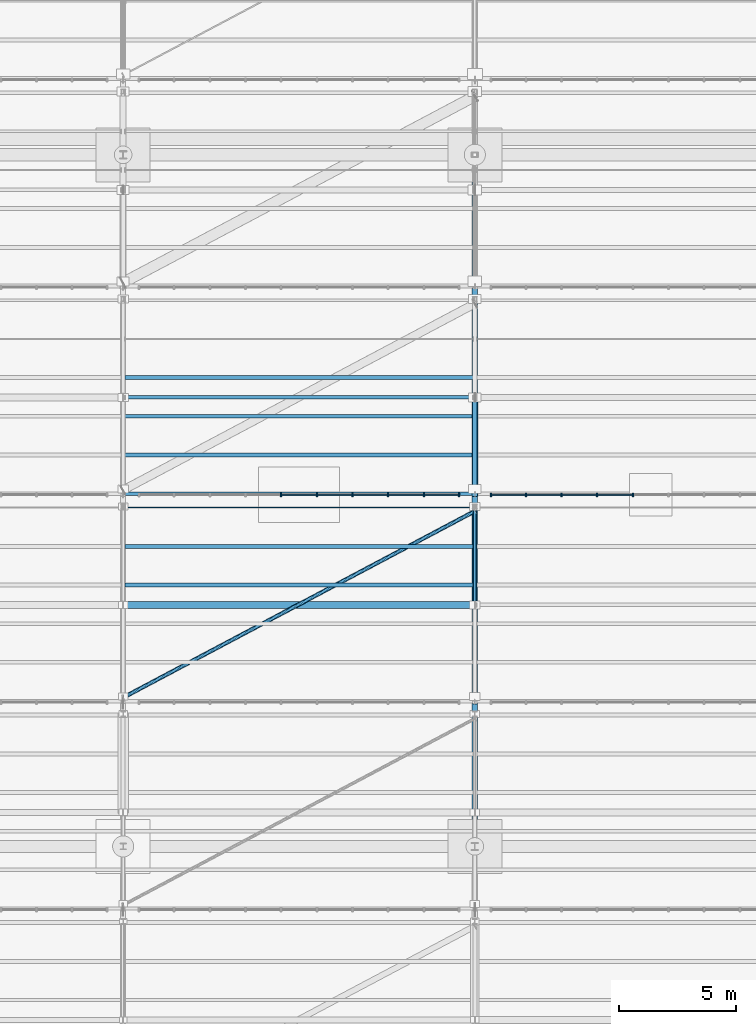
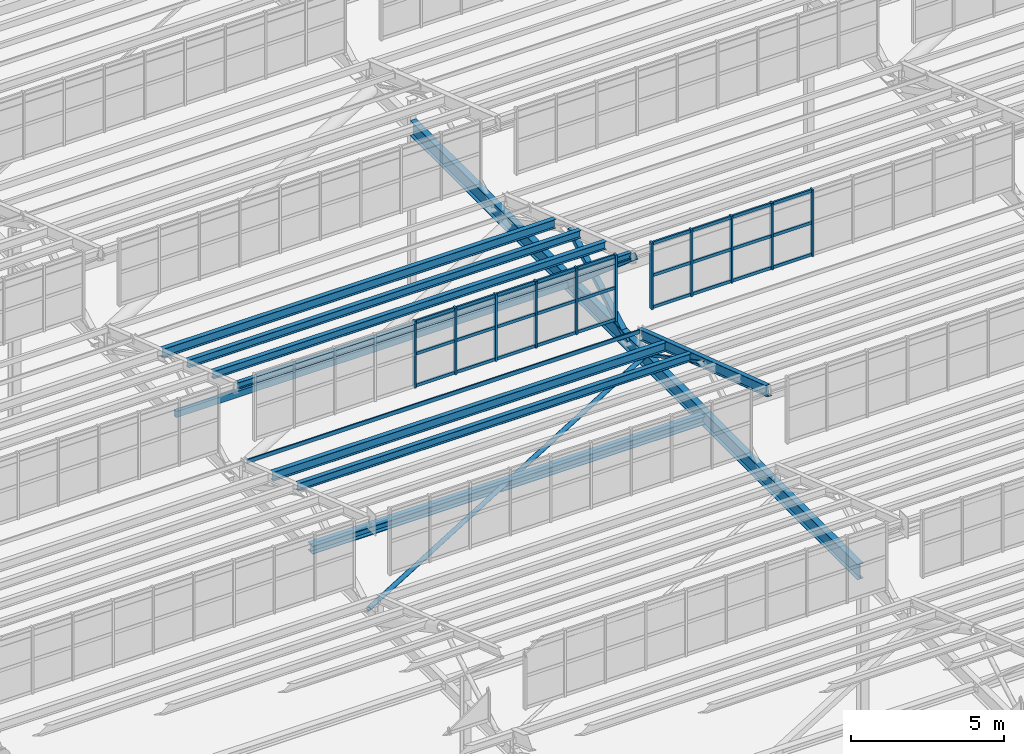
# One storey, part 100 of 285: 44 members, 9 beams, 2 elements without a shape of their own.
"""IFC4 building model written with IfcOpenShell, lengths in metres."""

from ifc_helpers import new_model, si_unit, direction, frame, origin, origin_2d, place, context, subcontext, project, spatial, rectangle, hollow_rectangle, hollow_circle, i_section, extrude, material, material_profile, profile_set, type_object, element, aggregate, save


model = new_model("IFC4")

# Units and contexts
model_context = context("Model", 3, precision=1e-05, world=origin(), true_north=direction((0.0, 1.0)))
body_context = subcontext(model_context, "Body", "Model", "MODEL_VIEW")
ifc_project = project(units=[si_unit("LENGTHUNIT", "METRE"), si_unit("AREAUNIT", "SQUARE_METRE"), si_unit("VOLUMEUNIT", "CUBIC_METRE"), si_unit("PLANEANGLEUNIT", "RADIAN"), si_unit("MASSUNIT", "GRAM", prefix="KILO")], contexts=[model_context])

# Site, building, storey
site_placement = place(None, origin())
site = spatial("IfcSite", under=ifc_project, at=site_placement, CompositionType="ELEMENT")
building_placement = place(site_placement, origin())
building = spatial("IfcBuilding", under=site, at=building_placement, Name="Solanera Park Tramway Depot", CompositionType="ELEMENT")
storey_placement = place(building_placement, origin())
storey = spatial("IfcBuildingStorey", under=building, at=storey_placement, Name="L00", CompositionType="ELEMENT", Elevation=0.0)

# Curtain wall, members
ifc_material_1 = material(Name="Bronze-anodised thermally broken aluminium curtain wall", Category="aluminium")
curtain_wall_type = type_object("IfcCurtainWallType", Name="Sawtooth Clerestory Monitor Curtain Wall", PredefinedType="NOTDEFINED", material=ifc_material_1)
curtain_wall_1_placement = place(storey_placement, origin())
curtain_wall_1 = element("IfcCurtainWall", 1, at=curtain_wall_1_placement, inside=storey, type_object=curtain_wall_type, Name="L00 Sawtooth Clerestory Monitor Curtain Wall #041", PredefinedType="NOTDEFINED")
ifc_material_2 = material(Name="Bronze-anodised structural aluminium 6063-T6", Category="aluminium")
ifc_material_profile_1 = material_profile(ifc_material_2, rectangle(XDim=0.06494140625, YDim=0.14990234375, at=origin_2d()), Name="Curtain Wall Mullion 65x150")
ifc_profile_set_1 = profile_set([ifc_material_profile_1], Name="Bronze-anodised structural aluminium 6063-T6")
member_type_1 = type_object("IfcMemberType", Name="Curtain Wall Mullion 65x150", PredefinedType="MULLION", material=ifc_profile_set_1)
member_1_placement = place(storey_placement, frame((96.739013671875, 100.0, 7.75), z_axis=(0.0, 0.0, 1.0), x_axis=(1.0, 0.0, 0.0)))
member_1 = element("IfcMember", 2, at=member_1_placement, type_object=member_type_1, Name="CW-L00-041 Mullion 5", PredefinedType="MULLION", context=body_context, shape_type="SweptSolid", body=[
    extrude(rectangle(XDim=0.06494140625, YDim=0.14990234375, at=origin_2d()), origin(), (0.0, 0.0, 1.0), 2.6611328125),
])
member_2_placement = place(storey_placement, frame((98.260986328125, 100.0, 7.75), z_axis=(0.0, 0.0, 1.0), x_axis=(1.0, 0.0, 0.0)))
member_2 = element("IfcMember", 3, at=member_2_placement, type_object=member_type_1, Name="CW-L00-041 Mullion 6", PredefinedType="MULLION", context=body_context, shape_type="SweptSolid", body=[
    extrude(rectangle(XDim=0.06494140625, YDim=0.14990234375, at=origin_2d()), origin(), (0.0, 0.0, 1.0), 2.6611328125),
])
member_3_placement = place(storey_placement, frame((99.783203125, 100.0, 7.75), z_axis=(0.0, 0.0, 1.0), x_axis=(1.0, 0.0, 0.0)))
member_3 = element("IfcMember", 4, at=member_3_placement, type_object=member_type_1, Name="CW-L00-041 Mullion 7", PredefinedType="MULLION", context=body_context, shape_type="SweptSolid", body=[
    extrude(rectangle(XDim=0.06494140625, YDim=0.14990234375, at=origin_2d()), origin(), (0.0, 0.0, 1.0), 2.6611328125),
])
member_4_placement = place(storey_placement, frame((101.3056640625, 100.0, 7.75), z_axis=(0.0, 0.0, 1.0), x_axis=(1.0, 0.0, 0.0)))
member_4 = element("IfcMember", 5, at=member_4_placement, type_object=member_type_1, Name="CW-L00-041 Mullion 8", PredefinedType="MULLION", context=body_context, shape_type="SweptSolid", body=[
    extrude(rectangle(XDim=0.06494140625, YDim=0.14990234375, at=origin_2d()), origin(), (0.0, 0.0, 1.0), 2.6611328125),
])
member_5_placement = place(storey_placement, frame((102.827880859375, 100.0, 7.75), z_axis=(0.0, 0.0, 1.0), x_axis=(1.0, 0.0, 0.0)))
member_5 = element("IfcMember", 6, at=member_5_placement, type_object=member_type_1, Name="CW-L00-041 Mullion 9", PredefinedType="MULLION", context=body_context, shape_type="SweptSolid", body=[
    extrude(rectangle(XDim=0.06494140625, YDim=0.14990234375, at=origin_2d()), origin(), (0.0, 0.0, 1.0), 2.6611328125),
])
member_6_placement = place(storey_placement, frame((104.3173828125, 100.0, 7.75), z_axis=(0.0, 0.0, 1.0), x_axis=(1.0, 0.0, 0.0)))
member_6 = element("IfcMember", 7, at=member_6_placement, type_object=member_type_1, Name="CW-L00-041 Mullion 10", PredefinedType="MULLION", context=body_context, shape_type="SweptSolid", body=[
    extrude(rectangle(XDim=0.06494140625, YDim=0.14990234375, at=origin_2d()), origin(), (0.0, 0.0, 1.0), 2.6611328125),
])

curtain_wall_2_placement = place(storey_placement, origin())
curtain_wall_2 = element("IfcCurtainWall", 8, at=curtain_wall_2_placement, inside=storey, type_object=curtain_wall_type, Name="L00 Sawtooth Clerestory Monitor Curtain Wall #042", PredefinedType="NOTDEFINED")
member_7_placement = place(storey_placement, frame((105.6826171875, 100.0, 7.75), z_axis=(0.0, 0.0, 1.0), x_axis=(1.0, 0.0, 0.0)))
member_7 = element("IfcMember", 9, at=member_7_placement, type_object=member_type_1, Name="CW-L00-042 Mullion 1", PredefinedType="MULLION", context=body_context, shape_type="SweptSolid", body=[
    extrude(rectangle(XDim=0.06494140625, YDim=0.14990234375, at=origin_2d()), origin(), (0.0, 0.0, 1.0), 2.6611328125),
])
member_8_placement = place(storey_placement, frame((107.172119140625, 100.0, 7.75), z_axis=(0.0, 0.0, 1.0), x_axis=(1.0, 0.0, 0.0)))
member_8 = element("IfcMember", 10, at=member_8_placement, type_object=member_type_1, Name="CW-L00-042 Mullion 2", PredefinedType="MULLION", context=body_context, shape_type="SweptSolid", body=[
    extrude(rectangle(XDim=0.06494140625, YDim=0.14990234375, at=origin_2d()), origin(), (0.0, 0.0, 1.0), 2.6611328125),
])
member_9_placement = place(storey_placement, frame((108.6943359375, 100.0, 7.75), z_axis=(0.0, 0.0, 1.0), x_axis=(1.0, 0.0, 0.0)))
member_9 = element("IfcMember", 11, at=member_9_placement, type_object=member_type_1, Name="CW-L00-042 Mullion 3", PredefinedType="MULLION", context=body_context, shape_type="SweptSolid", body=[
    extrude(rectangle(XDim=0.06494140625, YDim=0.14990234375, at=origin_2d()), origin(), (0.0, 0.0, 1.0), 2.6611328125),
])
member_10_placement = place(storey_placement, frame((110.216796875, 100.0, 7.75), z_axis=(0.0, 0.0, 1.0), x_axis=(1.0, 0.0, 0.0)))
member_10 = element("IfcMember", 12, at=member_10_placement, type_object=member_type_1, Name="CW-L00-042 Mullion 4", PredefinedType="MULLION", context=body_context, shape_type="SweptSolid", body=[
    extrude(rectangle(XDim=0.06494140625, YDim=0.14990234375, at=origin_2d()), origin(), (0.0, 0.0, 1.0), 2.6611328125),
])
member_11_placement = place(storey_placement, frame((111.739013671875, 100.0, 7.75), z_axis=(0.0, 0.0, 1.0), x_axis=(1.0, 0.0, 0.0)))
member_11 = element("IfcMember", 13, at=member_11_placement, type_object=member_type_1, Name="CW-L00-042 Mullion 5", PredefinedType="MULLION", context=body_context, shape_type="SweptSolid", body=[
    extrude(rectangle(XDim=0.06494140625, YDim=0.14990234375, at=origin_2d()), origin(), (0.0, 0.0, 1.0), 2.6611328125),
])

# Member
ifc_material_3 = material(Name="Bronze-anodised structural aluminium 6063-T6", Category="aluminium")
ifc_material_profile_2 = material_profile(ifc_material_3, rectangle(XDim=0.06494140625, YDim=0.1201171875, at=origin_2d()), Name="Curtain Wall Transom 65x120")
ifc_profile_set_2 = profile_set([ifc_material_profile_2], Name="Bronze-anodised structural aluminium 6063-T6")
member_type_2 = type_object("IfcMemberType", Name="Curtain Wall Transom 65x120", PredefinedType="USERDEFINED", material=ifc_profile_set_2)
member_12_placement = place(storey_placement, frame((96.766845703125, 100.0, 7.81005859375), z_axis=(1.0, 0.0, 0.0), x_axis=(0.0, 1.0, 0.0)))
member_12 = element("IfcMember", 14, at=member_12_placement, type_object=member_type_2, Name="CW-L00-041 Transom R1.C5", ObjectType="TRANSOM", PredefinedType="USERDEFINED", context=body_context, shape_type="SweptSolid", body=[
    extrude(rectangle(XDim=0.06494140625, YDim=0.1201171875, at=origin_2d()), origin(), (0.0, 0.0, 1.0), 1.46630859375),
])

member_13_placement = place(storey_placement, frame((98.2890625, 100.0, 7.81005859375), z_axis=(1.0, 0.0, 0.0), x_axis=(0.0, 1.0, 0.0)))
member_13 = element("IfcMember", 15, at=member_13_placement, type_object=member_type_2, Name="CW-L00-041 Transom R1.C6", ObjectType="TRANSOM", PredefinedType="USERDEFINED", context=body_context, shape_type="SweptSolid", body=[
    extrude(rectangle(XDim=0.06494140625, YDim=0.1201171875, at=origin_2d()), origin(), (0.0, 0.0, 1.0), 1.46630859375),
])

member_14_placement = place(storey_placement, frame((99.811279296875, 100.0, 7.81005859375), z_axis=(1.0, 0.0, 0.0), x_axis=(0.0, 1.0, 0.0)))
member_14 = element("IfcMember", 16, at=member_14_placement, type_object=member_type_2, Name="CW-L00-041 Transom R1.C7", ObjectType="TRANSOM", PredefinedType="USERDEFINED", context=body_context, shape_type="SweptSolid", body=[
    extrude(rectangle(XDim=0.06494140625, YDim=0.1201171875, at=origin_2d()), origin(), (0.0, 0.0, 1.0), 1.46630859375),
])

member_15_placement = place(storey_placement, frame((101.33349609375, 100.0, 7.81005859375), z_axis=(1.0, 0.0, 0.0), x_axis=(0.0, 1.0, 0.0)))
member_15 = element("IfcMember", 17, at=member_15_placement, type_object=member_type_2, Name="CW-L00-041 Transom R1.C8", ObjectType="TRANSOM", PredefinedType="USERDEFINED", context=body_context, shape_type="SweptSolid", body=[
    extrude(rectangle(XDim=0.06494140625, YDim=0.1201171875, at=origin_2d()), origin(), (0.0, 0.0, 1.0), 1.46630859375),
])

member_16_placement = place(storey_placement, frame((102.855712890625, 100.0, 7.81005859375), z_axis=(1.0, 0.0, 0.0), x_axis=(0.0, 1.0, 0.0)))
member_16 = element("IfcMember", 18, at=member_16_placement, type_object=member_type_2, Name="CW-L00-041 Transom R1.C9", ObjectType="TRANSOM", PredefinedType="USERDEFINED", context=body_context, shape_type="SweptSolid", body=[
    extrude(rectangle(XDim=0.06494140625, YDim=0.1201171875, at=origin_2d()), origin(), (0.0, 0.0, 1.0), 1.433837890625),
])

member_17_placement = place(storey_placement, frame((96.766845703125, 100.0, 9.08056640625), z_axis=(1.0, 0.0, 0.0), x_axis=(0.0, 1.0, 0.0)))
member_17 = element("IfcMember", 19, at=member_17_placement, type_object=member_type_2, Name="CW-L00-041 Transom R2.C5", ObjectType="TRANSOM", PredefinedType="USERDEFINED", context=body_context, shape_type="SweptSolid", body=[
    extrude(rectangle(XDim=0.06494140625, YDim=0.1201171875, at=origin_2d()), origin(), (0.0, 0.0, 1.0), 1.46630859375),
])

member_18_placement = place(storey_placement, frame((98.2890625, 100.0, 9.08056640625), z_axis=(1.0, 0.0, 0.0), x_axis=(0.0, 1.0, 0.0)))
member_18 = element("IfcMember", 20, at=member_18_placement, type_object=member_type_2, Name="CW-L00-041 Transom R2.C6", ObjectType="TRANSOM", PredefinedType="USERDEFINED", context=body_context, shape_type="SweptSolid", body=[
    extrude(rectangle(XDim=0.06494140625, YDim=0.1201171875, at=origin_2d()), origin(), (0.0, 0.0, 1.0), 1.46630859375),
])

member_19_placement = place(storey_placement, frame((99.811279296875, 100.0, 9.08056640625), z_axis=(1.0, 0.0, 0.0), x_axis=(0.0, 1.0, 0.0)))
member_19 = element("IfcMember", 21, at=member_19_placement, type_object=member_type_2, Name="CW-L00-041 Transom R2.C7", ObjectType="TRANSOM", PredefinedType="USERDEFINED", context=body_context, shape_type="SweptSolid", body=[
    extrude(rectangle(XDim=0.06494140625, YDim=0.1201171875, at=origin_2d()), origin(), (0.0, 0.0, 1.0), 1.46630859375),
])

member_20_placement = place(storey_placement, frame((101.33349609375, 100.0, 9.08056640625), z_axis=(1.0, 0.0, 0.0), x_axis=(0.0, 1.0, 0.0)))
member_20 = element("IfcMember", 22, at=member_20_placement, type_object=member_type_2, Name="CW-L00-041 Transom R2.C8", ObjectType="TRANSOM", PredefinedType="USERDEFINED", context=body_context, shape_type="SweptSolid", body=[
    extrude(rectangle(XDim=0.06494140625, YDim=0.1201171875, at=origin_2d()), origin(), (0.0, 0.0, 1.0), 1.46630859375),
])

member_21_placement = place(storey_placement, frame((102.855712890625, 100.0, 9.08056640625), z_axis=(1.0, 0.0, 0.0), x_axis=(0.0, 1.0, 0.0)))
member_21 = element("IfcMember", 23, at=member_21_placement, type_object=member_type_2, Name="CW-L00-041 Transom R2.C9", ObjectType="TRANSOM", PredefinedType="USERDEFINED", context=body_context, shape_type="SweptSolid", body=[
    extrude(rectangle(XDim=0.06494140625, YDim=0.1201171875, at=origin_2d()), origin(), (0.0, 0.0, 1.0), 1.433837890625),
])

member_22_placement = place(storey_placement, frame((96.766845703125, 100.0, 10.351318359375), z_axis=(1.0, 0.0, 0.0), x_axis=(0.0, 1.0, 0.0)))
member_22 = element("IfcMember", 24, at=member_22_placement, type_object=member_type_2, Name="CW-L00-041 Transom R3.C5", ObjectType="TRANSOM", PredefinedType="USERDEFINED", context=body_context, shape_type="SweptSolid", body=[
    extrude(rectangle(XDim=0.06494140625, YDim=0.1201171875, at=origin_2d()), origin(), (0.0, 0.0, 1.0), 1.46630859375),
])

member_23_placement = place(storey_placement, frame((98.2890625, 100.0, 10.351318359375), z_axis=(1.0, 0.0, 0.0), x_axis=(0.0, 1.0, 0.0)))
member_23 = element("IfcMember", 25, at=member_23_placement, type_object=member_type_2, Name="CW-L00-041 Transom R3.C6", ObjectType="TRANSOM", PredefinedType="USERDEFINED", context=body_context, shape_type="SweptSolid", body=[
    extrude(rectangle(XDim=0.06494140625, YDim=0.1201171875, at=origin_2d()), origin(), (0.0, 0.0, 1.0), 1.46630859375),
])

member_24_placement = place(storey_placement, frame((99.811279296875, 100.0, 10.351318359375), z_axis=(1.0, 0.0, 0.0), x_axis=(0.0, 1.0, 0.0)))
member_24 = element("IfcMember", 26, at=member_24_placement, type_object=member_type_2, Name="CW-L00-041 Transom R3.C7", ObjectType="TRANSOM", PredefinedType="USERDEFINED", context=body_context, shape_type="SweptSolid", body=[
    extrude(rectangle(XDim=0.06494140625, YDim=0.1201171875, at=origin_2d()), origin(), (0.0, 0.0, 1.0), 1.46630859375),
])

member_25_placement = place(storey_placement, frame((101.33349609375, 100.0, 10.351318359375), z_axis=(1.0, 0.0, 0.0), x_axis=(0.0, 1.0, 0.0)))
member_25 = element("IfcMember", 27, at=member_25_placement, type_object=member_type_2, Name="CW-L00-041 Transom R3.C8", ObjectType="TRANSOM", PredefinedType="USERDEFINED", context=body_context, shape_type="SweptSolid", body=[
    extrude(rectangle(XDim=0.06494140625, YDim=0.1201171875, at=origin_2d()), origin(), (0.0, 0.0, 1.0), 1.46630859375),
])

member_26_placement = place(storey_placement, frame((102.855712890625, 100.0, 10.351318359375), z_axis=(1.0, 0.0, 0.0), x_axis=(0.0, 1.0, 0.0)))
member_26 = element("IfcMember", 28, at=member_26_placement, type_object=member_type_2, Name="CW-L00-041 Transom R3.C9", ObjectType="TRANSOM", PredefinedType="USERDEFINED", context=body_context, shape_type="SweptSolid", body=[
    extrude(rectangle(XDim=0.06494140625, YDim=0.1201171875, at=origin_2d()), origin(), (0.0, 0.0, 1.0), 1.433837890625),
])

aggregate(curtain_wall_1, [member_1, member_2, member_3, member_4, member_5, member_6, member_12, member_13, member_14, member_15, member_16, member_17, member_18, member_19, member_20, member_21, member_22, member_23, member_24, member_25, member_26])

member_27_placement = place(storey_placement, frame((105.71044921875, 100.0, 7.81005859375), z_axis=(1.0, 0.0, 0.0), x_axis=(0.0, 1.0, 0.0)))
member_27 = element("IfcMember", 29, at=member_27_placement, type_object=member_type_2, Name="CW-L00-042 Transom R1.C1", ObjectType="TRANSOM", PredefinedType="USERDEFINED", context=body_context, shape_type="SweptSolid", body=[
    extrude(rectangle(XDim=0.06494140625, YDim=0.1201171875, at=origin_2d()), origin(), (0.0, 0.0, 1.0), 1.433837890625),
])

member_28_placement = place(storey_placement, frame((107.2001953125, 100.0, 7.81005859375), z_axis=(1.0, 0.0, 0.0), x_axis=(0.0, 1.0, 0.0)))
member_28 = element("IfcMember", 30, at=member_28_placement, type_object=member_type_2, Name="CW-L00-042 Transom R1.C2", ObjectType="TRANSOM", PredefinedType="USERDEFINED", context=body_context, shape_type="SweptSolid", body=[
    extrude(rectangle(XDim=0.06494140625, YDim=0.1201171875, at=origin_2d()), origin(), (0.0, 0.0, 1.0), 1.46630859375),
])

member_29_placement = place(storey_placement, frame((108.722412109375, 100.0, 7.81005859375), z_axis=(1.0, 0.0, 0.0), x_axis=(0.0, 1.0, 0.0)))
member_29 = element("IfcMember", 31, at=member_29_placement, type_object=member_type_2, Name="CW-L00-042 Transom R1.C3", ObjectType="TRANSOM", PredefinedType="USERDEFINED", context=body_context, shape_type="SweptSolid", body=[
    extrude(rectangle(XDim=0.06494140625, YDim=0.1201171875, at=origin_2d()), origin(), (0.0, 0.0, 1.0), 1.46630859375),
])

member_30_placement = place(storey_placement, frame((110.24462890625, 100.0, 7.81005859375), z_axis=(1.0, 0.0, 0.0), x_axis=(0.0, 1.0, 0.0)))
member_30 = element("IfcMember", 32, at=member_30_placement, type_object=member_type_2, Name="CW-L00-042 Transom R1.C4", ObjectType="TRANSOM", PredefinedType="USERDEFINED", context=body_context, shape_type="SweptSolid", body=[
    extrude(rectangle(XDim=0.06494140625, YDim=0.1201171875, at=origin_2d()), origin(), (0.0, 0.0, 1.0), 1.46630859375),
])

member_31_placement = place(storey_placement, frame((105.71044921875, 100.0, 9.08056640625), z_axis=(1.0, 0.0, 0.0), x_axis=(0.0, 1.0, 0.0)))
member_31 = element("IfcMember", 33, at=member_31_placement, type_object=member_type_2, Name="CW-L00-042 Transom R2.C1", ObjectType="TRANSOM", PredefinedType="USERDEFINED", context=body_context, shape_type="SweptSolid", body=[
    extrude(rectangle(XDim=0.06494140625, YDim=0.1201171875, at=origin_2d()), origin(), (0.0, 0.0, 1.0), 1.433837890625),
])

member_32_placement = place(storey_placement, frame((107.2001953125, 100.0, 9.08056640625), z_axis=(1.0, 0.0, 0.0), x_axis=(0.0, 1.0, 0.0)))
member_32 = element("IfcMember", 34, at=member_32_placement, type_object=member_type_2, Name="CW-L00-042 Transom R2.C2", ObjectType="TRANSOM", PredefinedType="USERDEFINED", context=body_context, shape_type="SweptSolid", body=[
    extrude(rectangle(XDim=0.06494140625, YDim=0.1201171875, at=origin_2d()), origin(), (0.0, 0.0, 1.0), 1.46630859375),
])

member_33_placement = place(storey_placement, frame((108.722412109375, 100.0, 9.08056640625), z_axis=(1.0, 0.0, 0.0), x_axis=(0.0, 1.0, 0.0)))
member_33 = element("IfcMember", 35, at=member_33_placement, type_object=member_type_2, Name="CW-L00-042 Transom R2.C3", ObjectType="TRANSOM", PredefinedType="USERDEFINED", context=body_context, shape_type="SweptSolid", body=[
    extrude(rectangle(XDim=0.06494140625, YDim=0.1201171875, at=origin_2d()), origin(), (0.0, 0.0, 1.0), 1.46630859375),
])

member_34_placement = place(storey_placement, frame((110.24462890625, 100.0, 9.08056640625), z_axis=(1.0, 0.0, 0.0), x_axis=(0.0, 1.0, 0.0)))
member_34 = element("IfcMember", 36, at=member_34_placement, type_object=member_type_2, Name="CW-L00-042 Transom R2.C4", ObjectType="TRANSOM", PredefinedType="USERDEFINED", context=body_context, shape_type="SweptSolid", body=[
    extrude(rectangle(XDim=0.06494140625, YDim=0.1201171875, at=origin_2d()), origin(), (0.0, 0.0, 1.0), 1.46630859375),
])

member_35_placement = place(storey_placement, frame((105.71044921875, 100.0, 10.351318359375), z_axis=(1.0, 0.0, 0.0), x_axis=(0.0, 1.0, 0.0)))
member_35 = element("IfcMember", 37, at=member_35_placement, type_object=member_type_2, Name="CW-L00-042 Transom R3.C1", ObjectType="TRANSOM", PredefinedType="USERDEFINED", context=body_context, shape_type="SweptSolid", body=[
    extrude(rectangle(XDim=0.06494140625, YDim=0.1201171875, at=origin_2d()), origin(), (0.0, 0.0, 1.0), 1.433837890625),
])

member_36_placement = place(storey_placement, frame((107.2001953125, 100.0, 10.351318359375), z_axis=(1.0, 0.0, 0.0), x_axis=(0.0, 1.0, 0.0)))
member_36 = element("IfcMember", 38, at=member_36_placement, type_object=member_type_2, Name="CW-L00-042 Transom R3.C2", ObjectType="TRANSOM", PredefinedType="USERDEFINED", context=body_context, shape_type="SweptSolid", body=[
    extrude(rectangle(XDim=0.06494140625, YDim=0.1201171875, at=origin_2d()), origin(), (0.0, 0.0, 1.0), 1.46630859375),
])

member_37_placement = place(storey_placement, frame((108.722412109375, 100.0, 10.351318359375), z_axis=(1.0, 0.0, 0.0), x_axis=(0.0, 1.0, 0.0)))
member_37 = element("IfcMember", 39, at=member_37_placement, type_object=member_type_2, Name="CW-L00-042 Transom R3.C3", ObjectType="TRANSOM", PredefinedType="USERDEFINED", context=body_context, shape_type="SweptSolid", body=[
    extrude(rectangle(XDim=0.06494140625, YDim=0.1201171875, at=origin_2d()), origin(), (0.0, 0.0, 1.0), 1.46630859375),
])

member_38_placement = place(storey_placement, frame((110.24462890625, 100.0, 10.351318359375), z_axis=(1.0, 0.0, 0.0), x_axis=(0.0, 1.0, 0.0)))
member_38 = element("IfcMember", 40, at=member_38_placement, type_object=member_type_2, Name="CW-L00-042 Transom R3.C4", ObjectType="TRANSOM", PredefinedType="USERDEFINED", context=body_context, shape_type="SweptSolid", body=[
    extrude(rectangle(XDim=0.06494140625, YDim=0.1201171875, at=origin_2d()), origin(), (0.0, 0.0, 1.0), 1.46630859375),
])

aggregate(curtain_wall_2, [member_7, member_8, member_9, member_10, member_11, member_27, member_28, member_29, member_30, member_31, member_32, member_33, member_34, member_35, member_36, member_37, member_38])

# Members
ifc_material_4 = material(Name="Steel AS/NZS 1163 Grade C350L0", Category="steel")
ifc_material_profile_3 = material_profile(ifc_material_4, hollow_rectangle(XDim=0.199951171875, YDim=0.199951171875, WallThickness=0.008056640625, at=origin_2d()), Name="200x200x8.0 SHS")
ifc_profile_set_3 = profile_set([ifc_material_profile_3], Name="Steel AS/NZS 1163 Grade C350L0")
member_type_3 = type_object("IfcMemberType", Name="Roof Gantry Compression Strut 200x200x8.0 SHS", PredefinedType="STRUT", material=ifc_profile_set_3)
member_39_placement = place(storey_placement, frame((105.0, 100.25, 6.5), z_axis=(0.0, 0.874074669389, 0.485791593517), x_axis=(-1.0, 0.0, 0.0)))
element("IfcMember", 41, at=member_39_placement, inside=storey, type_object=member_type_3, Name="Sawtooth ROOF TRUSS Strut 200x200x8.0 SHS #0249", PredefinedType="STRUT", context=body_context, shape_type="SweptSolid", body=[
    extrude(hollow_rectangle(XDim=0.199951171875, YDim=0.199951171875, WallThickness=0.008056640625, at=origin_2d()), origin(), (0.0, 0.0, 1.0), 4.461669921875),
])
ifc_material_5 = material(Name="Steel AS/NZS 1163 Grade C350L0", Category="steel")
ifc_material_profile_4 = material_profile(ifc_material_5, hollow_rectangle(XDim=0.14990234375, YDim=0.25, WallThickness=0.008056640625, at=origin_2d()), Name="250x150x8.0 RHS")
ifc_profile_set_4 = profile_set([ifc_material_profile_4], Name="Steel AS/NZS 1163 Grade C350L0")
member_type_4 = type_object("IfcMemberType", Name="Secondary Truss Chord 250x150x8.0 RHS", PredefinedType="CHORD", material=ifc_profile_set_4)
member_40_placement = place(storey_placement, frame((90.087890625, 104.14990234375, 6.5), z_axis=(1.0, 0.0, 0.0), x_axis=(0.0, 1.0, 0.0)))
element("IfcMember", 42, at=member_40_placement, inside=storey, type_object=member_type_4, Name="Sawtooth Longitudinal Tie Chord 250x150x8.0 RHS #0267", PredefinedType="CHORD", context=body_context, shape_type="SweptSolid", body=[
    extrude(hollow_rectangle(XDim=0.14990234375, YDim=0.25, WallThickness=0.008056640625, at=origin_2d()), origin(), (0.0, 0.0, 1.0), 14.82421875),
])
ifc_material_6 = material(Name="Steel AS/NZS 3679.1 Grade 350", Category="steel")
ifc_material_profile_5 = material_profile(ifc_material_6, i_section(OverallWidth=0.310546875, OverallDepth=0.3271484375, WebThickness=0.015625, FlangeThickness=0.02490234375, at=origin_2d()), Name="310UC158")
ifc_profile_set_5 = profile_set([ifc_material_profile_5], Name="Steel AS/NZS 3679.1 Grade 350")
member_type_5 = type_object("IfcMemberType", Name="Secondary Truss Chord 310UC158", PredefinedType="CHORD", material=ifc_profile_set_5)
member_41_placement = place(storey_placement, frame((90.087890625, 95.300048828125, 6.5), z_axis=(1.0, 0.0, 0.0), x_axis=(0.0, 1.0, 0.0)))
element("IfcMember", 43, at=member_41_placement, inside=storey, type_object=member_type_5, Name="Sawtooth Longitudinal Tie Chord 310UC158 #0220", PredefinedType="CHORD", context=body_context, shape_type="SweptSolid", body=[
    extrude(i_section(OverallWidth=0.310546875, OverallDepth=0.3271484375, WebThickness=0.015625, FlangeThickness=0.02490234375, at=origin_2d()), origin(), (0.0, 0.0, 1.0), 14.82421875),
])

# Beams
ifc_material_7 = material(Name="Steel AS/NZS 3679.1 Grade 350", Category="steel")
ifc_material_profile_6 = material_profile(ifc_material_7, i_section(OverallWidth=0.177734375, OverallDepth=0.406494140625, WebThickness=0.0078125, FlangeThickness=0.0126953125, at=origin_2d()), Name="410UB59.7")
ifc_profile_set_6 = profile_set([ifc_material_profile_6], Name="Steel AS/NZS 3679.1 Grade 350")
beam_type_1 = type_object("IfcBeamType", Name="Steel Beam 410UB59.7", PredefinedType="BEAM", material=ifc_profile_set_6)
beam_1_placement = place(storey_placement, frame((105.0, 91.14990234375, 10.08154296875), z_axis=(0.0, 0.948322229475, -0.317308917435), x_axis=(-1.0, 0.0, 0.0)))
element("IfcBeam", 44, at=beam_1_placement, inside=storey, type_object=beam_type_1, Name="Sawtooth ROOF TRUSS Top Rafter 410UB59.7 B05-T8", PredefinedType="BEAM", context=body_context, shape_type="SweptSolid", body=[
    extrude(i_section(OverallWidth=0.177734375, OverallDepth=0.406494140625, WebThickness=0.0078125, FlangeThickness=0.0126953125, at=origin_2d()), origin(), (0.0, 0.0, 1.0), 8.80517578125),
])
ifc_material_8 = material(Name="Steel AS/NZS 3679.1 Grade 350", Category="steel")
ifc_material_profile_7 = material_profile(ifc_material_8, i_section(OverallWidth=0.22900390625, OverallDepth=0.611572265625, WebThickness=0.011962890625, FlangeThickness=0.01953125, at=origin_2d()), Name="610UB125")
ifc_profile_set_7 = profile_set([ifc_material_profile_7], Name="Steel AS/NZS 3679.1 Grade 350")
beam_type_2 = type_object("IfcBeamType", Name="Steel Beam 610UB125", PredefinedType="BEAM", material=ifc_profile_set_7)
beam_2_placement = place(storey_placement, frame((105.0, 85.1533203125, 6.5), z_axis=(0.0, 1.0, 0.0), x_axis=(-1.0, 0.0, 0.0)))
element("IfcBeam", 45, at=beam_2_placement, inside=storey, type_object=beam_type_2, Name="Sawtooth ROOF TRUSS Bottom Chord 610UB125 #0389", PredefinedType="BEAM", context=body_context, shape_type="SweptSolid", body=[
    extrude(i_section(OverallWidth=0.22900390625, OverallDepth=0.611572265625, WebThickness=0.011962890625, FlangeThickness=0.01953125, at=origin_2d()), origin(), (0.0, 0.0, 1.0), 29.24658203125),
])
ifc_material_9 = material(Name="Steel AS/NZS 1163 Grade C350L0", Category="steel")
ifc_material_profile_8 = material_profile(ifc_material_9, hollow_rectangle(XDim=0.050048828125, YDim=0.14990234375, WallThickness=0.0048828125, at=origin_2d()), Name="150x50x5.0 RHS")
ifc_profile_set_8 = profile_set([ifc_material_profile_8], Name="Steel AS/NZS 1163 Grade C350L0")
beam_type_3 = type_object("IfcBeamType", Name="Steel Joist Purlin 150x50x5.0 RHS", PredefinedType="JOIST", material=ifc_profile_set_8)
beam_3_placement = place(storey_placement, frame((90.077880859375, 99.449951171875, 7.4462890625), z_axis=(1.0, 0.0, 0.0), x_axis=(0.0, 1.0, 0.0)))
element("IfcBeam", 46, at=beam_3_placement, inside=storey, type_object=beam_type_3, Name="Sawtooth Roof Purlin 150x50x5.0 RHS B05.6", PredefinedType="JOIST", context=body_context, shape_type="SweptSolid", body=[
    extrude(hollow_rectangle(XDim=0.050048828125, YDim=0.14990234375, WallThickness=0.0048828125, at=origin_2d()), origin(), (0.0, 0.0, 1.0), 14.84130859375),
])
ifc_material_10 = material(Name="Steel AS/NZS 3679.1 Grade 350", Category="steel")
ifc_material_profile_9 = material_profile(ifc_material_10, i_section(OverallWidth=0.146484375, OverallDepth=0.256103515625, WebThickness=0.00634765625, FlangeThickness=0.010986328125, at=origin_2d()), Name="250UB37.3")
ifc_profile_set_9 = profile_set([ifc_material_profile_9], Name="Steel AS/NZS 3679.1 Grade 350")
beam_type_4 = type_object("IfcBeamType", Name="Steel Joist Purlin 250UB37.3", PredefinedType="JOIST", material=ifc_profile_set_9)
beam_4_placement = place(storey_placement, frame((90.080810546875, 100.050048828125, 10.137451171875), z_axis=(1.0, 0.0, 0.0), x_axis=(0.0, 1.0, 0.0)))
element("IfcBeam", 47, at=beam_4_placement, inside=storey, type_object=beam_type_4, Name="Sawtooth Roof Purlin 250UB37.3 B06.1", PredefinedType="JOIST", context=body_context, shape_type="SweptSolid", body=[
    extrude(i_section(OverallWidth=0.146484375, OverallDepth=0.256103515625, WebThickness=0.00634765625, FlangeThickness=0.010986328125, at=origin_2d()), origin(), (0.0, 0.0, 1.0), 14.83203125),
])
ifc_material_11 = material(Name="Steel AS/NZS 3679.1 Grade 350", Category="steel")
ifc_material_profile_10 = material_profile(ifc_material_11, i_section(OverallWidth=0.1650390625, OverallDepth=0.3037109375, WebThickness=0.006103515625, FlangeThickness=0.01025390625, at=origin_2d()), Name="310UB40.4")
ifc_profile_set_10 = profile_set([ifc_material_profile_10], Name="Steel AS/NZS 3679.1 Grade 350")
beam_type_5 = type_object("IfcBeamType", Name="Steel Joist Purlin 310UB40.4", PredefinedType="JOIST", material=ifc_profile_set_10)
beam_5_placement = place(storey_placement, frame((90.080810546875, 101.699951171875, 9.55859375), z_axis=(1.0, 0.0, 0.0), x_axis=(0.0, 1.0, 0.0)))
element("IfcBeam", 48, at=beam_5_placement, inside=storey, type_object=beam_type_5, Name="Sawtooth Roof Purlin 310UB40.4 B06.2", PredefinedType="JOIST", context=body_context, shape_type="SweptSolid", body=[
    extrude(i_section(OverallWidth=0.1650390625, OverallDepth=0.3037109375, WebThickness=0.006103515625, FlangeThickness=0.01025390625, at=origin_2d()), origin(), (0.0, 0.0, 1.0), 14.83203125),
])
ifc_material_12 = material(Name="Steel AS/NZS 3679.1 Grade 350", Category="steel")
ifc_material_profile_11 = material_profile(ifc_material_12, i_section(OverallWidth=0.166015625, OverallDepth=0.30712890625, WebThickness=0.006591796875, FlangeThickness=0.01171875, at=origin_2d()), Name="310UB46.2")
ifc_profile_set_11 = profile_set([ifc_material_profile_11], Name="Steel AS/NZS 3679.1 Grade 350")
beam_type_6 = type_object("IfcBeamType", Name="Steel Joist Purlin 310UB46.2", PredefinedType="JOIST", material=ifc_profile_set_11)
beam_6_placement = place(storey_placement, frame((90.077880859375, 96.14990234375, 8.452392578125), z_axis=(1.0, 0.0, 0.0), x_axis=(0.0, 1.0, 0.0)))
element("IfcBeam", 49, at=beam_6_placement, inside=storey, type_object=beam_type_6, Name="Sawtooth Roof Purlin 310UB46.2 B05.4", PredefinedType="JOIST", context=body_context, shape_type="SweptSolid", body=[
    extrude(i_section(OverallWidth=0.166015625, OverallDepth=0.30712890625, WebThickness=0.006591796875, FlangeThickness=0.01171875, at=origin_2d()), origin(), (0.0, 0.0, 1.0), 14.84130859375),
])
beam_7_placement = place(storey_placement, frame((90.080810546875, 103.35009765625, 9.004638671875), z_axis=(1.0, 0.0, 0.0), x_axis=(0.0, 1.0, 0.0)))
element("IfcBeam", 50, at=beam_7_placement, inside=storey, type_object=beam_type_6, Name="Sawtooth Roof Purlin 310UB46.2 B06.3", PredefinedType="JOIST", context=body_context, shape_type="SweptSolid", body=[
    extrude(i_section(OverallWidth=0.166015625, OverallDepth=0.30712890625, WebThickness=0.006591796875, FlangeThickness=0.01171875, at=origin_2d()), origin(), (0.0, 0.0, 1.0), 14.83203125),
])
ifc_material_13 = material(Name="Steel AS/NZS 3679.1 Grade 350", Category="steel")
ifc_material_profile_12 = material_profile(ifc_material_13, i_section(OverallWidth=0.17138671875, OverallDepth=0.355712890625, WebThickness=0.00732421875, FlangeThickness=0.011474609375, at=origin_2d()), Name="360UB50.7")
ifc_profile_set_12 = profile_set([ifc_material_profile_12], Name="Steel AS/NZS 3679.1 Grade 350")
beam_type_7 = type_object("IfcBeamType", Name="Steel Joist Purlin 360UB50.7", PredefinedType="JOIST", material=ifc_profile_set_12)
beam_8_placement = place(storey_placement, frame((90.077880859375, 97.800048828125, 7.875244140625), z_axis=(1.0, 0.0, 0.0), x_axis=(0.0, 1.0, 0.0)))
element("IfcBeam", 51, at=beam_8_placement, inside=storey, type_object=beam_type_7, Name="Sawtooth Roof Purlin 360UB50.7 B05.5", PredefinedType="JOIST", context=body_context, shape_type="SweptSolid", body=[
    extrude(i_section(OverallWidth=0.17138671875, OverallDepth=0.355712890625, WebThickness=0.00732421875, FlangeThickness=0.011474609375, at=origin_2d()), origin(), (0.0, 0.0, 1.0), 14.84130859375),
])
beam_9_placement = place(storey_placement, frame((90.080810546875, 105.0, 8.42724609375), z_axis=(1.0, 0.0, 0.0), x_axis=(0.0, 1.0, 0.0)))
element("IfcBeam", 52, at=beam_9_placement, inside=storey, type_object=beam_type_7, Name="Sawtooth Roof Purlin 360UB50.7 B06.4", PredefinedType="JOIST", context=body_context, shape_type="SweptSolid", body=[
    extrude(i_section(OverallWidth=0.17138671875, OverallDepth=0.355712890625, WebThickness=0.00732421875, FlangeThickness=0.011474609375, at=origin_2d()), origin(), (0.0, 0.0, 1.0), 14.83203125),
])

# Members
ifc_material_14 = material(Name="Steel AS/NZS 1163 Grade C350L0", Category="steel")
ifc_material_profile_13 = material_profile(ifc_material_14, hollow_rectangle(XDim=0.10009765625, YDim=0.10009765625, WallThickness=0.0048828125, at=origin_2d()), Name="100x100x5.0 SHS")
ifc_profile_set_13 = profile_set([ifc_material_profile_13], Name="Steel AS/NZS 1163 Grade C350L0")
member_type_6 = type_object("IfcMemberType", Name="Truss and Frame Brace 100x100x5.0 SHS", PredefinedType="BRACE", material=ifc_profile_set_13)
member_42_placement = place(storey_placement, frame((105.0, 99.5, 6.5), z_axis=(0.0, -0.886425847493, 0.462870626521), x_axis=(1.0, 0.0, 0.0)))
element("IfcMember", 53, at=member_42_placement, inside=storey, type_object=member_type_6, Name="Sawtooth ROOF TRUSS Diagonal 100x100x5.0 SHS #0201", PredefinedType="BRACE", context=body_context, shape_type="SweptSolid", body=[
    extrude(hollow_rectangle(XDim=0.10009765625, YDim=0.10009765625, WallThickness=0.0048828125, at=origin_2d()), origin(), (0.0, 0.0, 1.0), 4.738037109375),
])
ifc_material_15 = material(Name="Steel AS/NZS 1163 Grade C350L0", Category="steel")
ifc_material_profile_14 = material_profile(ifc_material_15, hollow_circle(Radius=0.084228515625, WallThickness=0.00634765625, at=origin_2d()), Name="168.3x6.4 CHS")
ifc_profile_set_14 = profile_set([ifc_material_profile_14], Name="Steel AS/NZS 1163 Grade C350L0")
member_type_7 = type_object("IfcMemberType", Name="Truss and Frame Brace 168.3x6.4 CHS", PredefinedType="BRACE", material=ifc_profile_set_14)
member_43_placement = place(storey_placement, frame((90.001953125, 91.35009765625, 6.5), z_axis=(0.883523615038, 0.468386615598, 0.0), x_axis=(-0.468386615598, 0.883523615038, 0.0)))
element("IfcMember", 54, at=member_43_placement, inside=storey, type_object=member_type_7, Name="Roof Plane Cyclonic Brace 168.3x6.4 CHS #0221", PredefinedType="BRACE", context=body_context, shape_type="SweptSolid", body=[
    extrude(hollow_circle(Radius=0.084228515625, WallThickness=0.00634765625, at=origin_2d()), origin(), (0.0, 0.0, 1.0), 16.97314453125),
])
ifc_material_16 = material(Name="Steel AS/NZS 1163 Grade C350L0", Category="steel")
ifc_material_profile_15 = material_profile(ifc_material_16, hollow_rectangle(XDim=0.25, YDim=0.25, WallThickness=0.010009765625, at=origin_2d()), Name="250x250x10.0 SHS")
ifc_profile_set_15 = profile_set([ifc_material_profile_15], Name="Steel AS/NZS 1163 Grade C350L0")
member_type_8 = type_object("IfcMemberType", Name="Truss and Frame Brace 250x250x10.0 SHS", PredefinedType="BRACE", material=ifc_profile_set_15)
member_44_placement = place(storey_placement, frame((105.0, 104.14990234375, 6.5), z_axis=(0.0, -0.759338583023, 0.650695717162), x_axis=(1.0, 0.0, 0.0)))
element("IfcMember", 55, at=member_44_placement, inside=storey, type_object=member_type_8, Name="Sawtooth ROOF TRUSS Web Brace 250x250x10.0 SHS #0247", PredefinedType="BRACE", context=body_context, shape_type="SweptSolid", body=[
    extrude(hollow_rectangle(XDim=0.25, YDim=0.25, WallThickness=0.010009765625, at=origin_2d()), origin(), (0.0, 0.0, 1.0), 5.465087890625),
])

save(model, "model.ifc")
